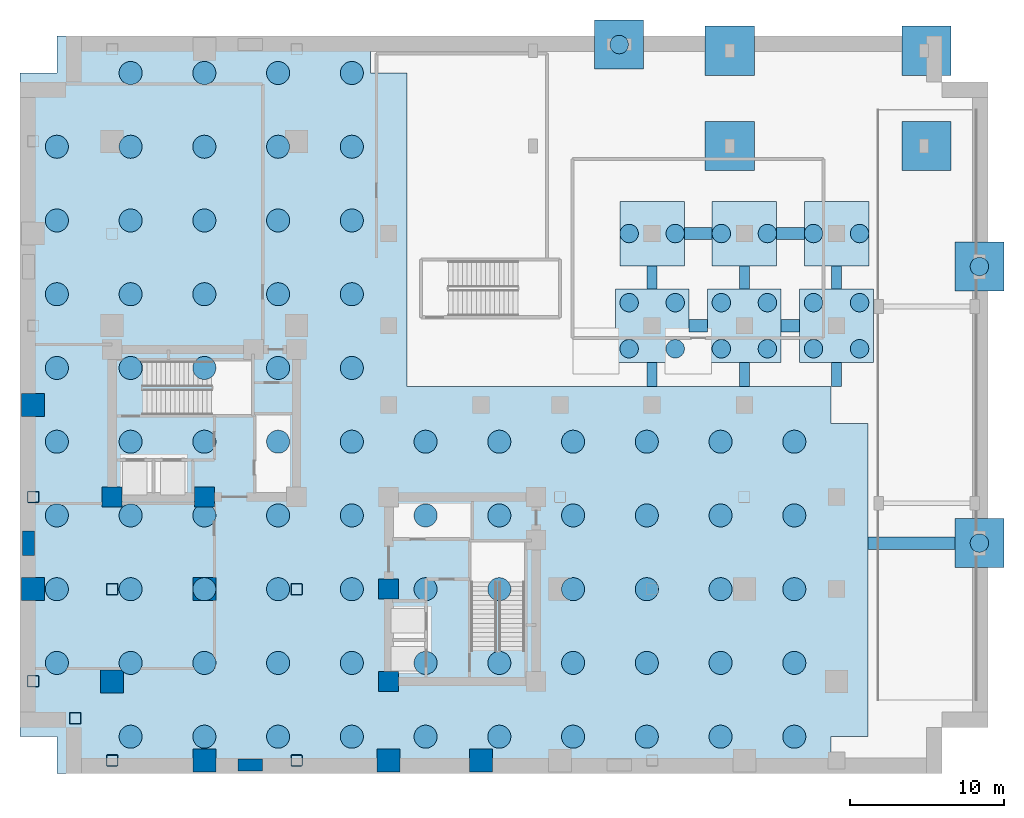
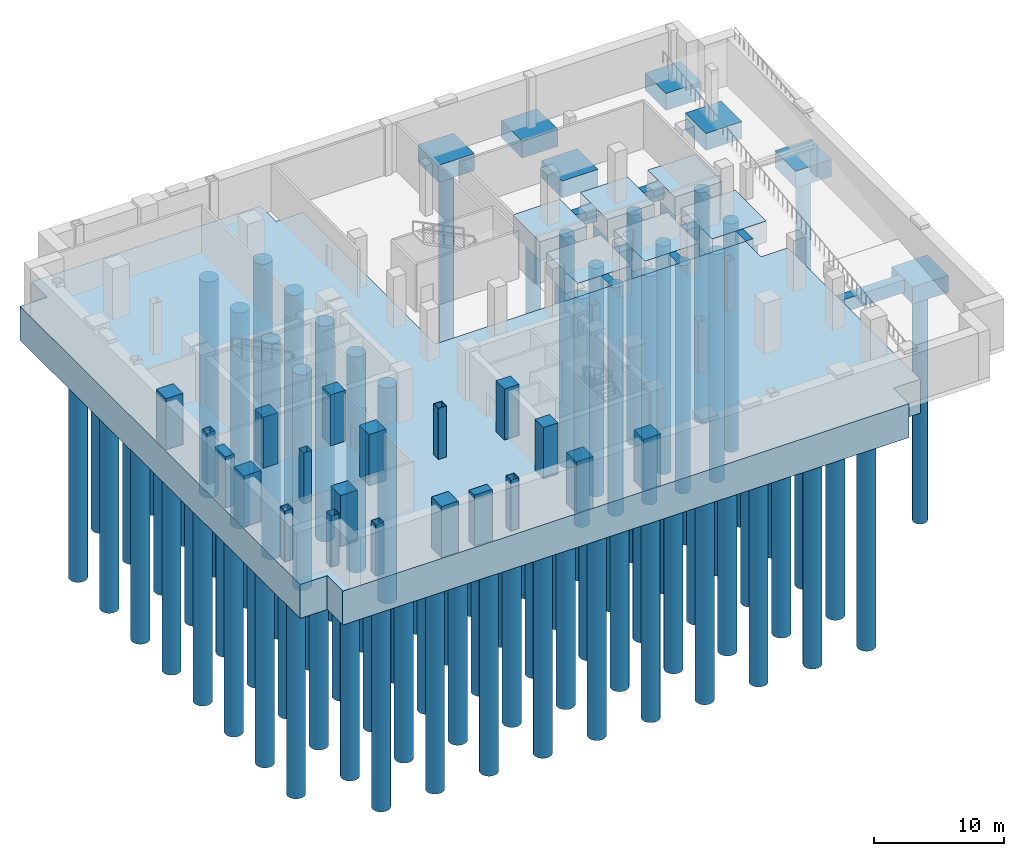
# One storey, part 1 of 7: 99 piles, 25 footings, 20 columns.
"""IFC4 building model written with IfcOpenShell, lengths in metres."""

import ifcopenshell
import ifcopenshell.guid

model = None  # the IFC model being written
_history = None  # IfcOwnerHistory: only IFC2X3 demands one
_inside = {}  # id of a spatial element -> (the spatial element, [elements in it])
_under = {}  # id of a project, library or spatial element -> (it, [spatial elements below it])
_declared = {}  # id of a project -> (the project, [libraries it declares])
_typed = {}  # id of a type object -> (the type object, [elements of that type])
_made_of = {}  # id of a material, layer set ... -> (it, [elements and type objects made of it])


def new_model(schema):
    """Start an empty IFC model of exactly this schema.

    Asked for "IFC4X3", IfcOpenShell would pick the latest addendum, in which some entities
    have other attributes; the version numbers below select the first issue.
    IFC2X3 requires an IfcOwnerHistory on every rooted entity: one is made here for all.
    """
    global model, _history
    if schema == "IFC4X3":
        model = ifcopenshell.file(schema_version=(4, 3, 0, 0))
    else:
        model = ifcopenshell.file(schema=schema)
    _inside.clear()
    _under.clear()
    _declared.clear()
    _typed.clear()
    _made_of.clear()
    _history = None
    if model.schema == "IFC2X3":
        org = make("IfcOrganization", Name="unknown")
        user = make(
            "IfcPersonAndOrganization",
            ThePerson=make("IfcPerson", FamilyName="unknown"),
            TheOrganization=org,
        )
        app = make(
            "IfcApplication",
            ApplicationDeveloper=org,
            Version="unknown",
            ApplicationFullName="unknown",
            ApplicationIdentifier="unknown",
        )
        _history = make(
            "IfcOwnerHistory",
            OwningUser=user,
            OwningApplication=app,
            ChangeAction="ADDED",
            CreationDate=0,
        )
    return model


def make(cls, **values):
    """One entity of the class cls with the attributes given. An attribute that is None is left unset."""
    return model.create_entity(
        cls, **{name: value for name, value in values.items() if value is not None}
    )


def rooted(cls, **values):
    """An entity with a GlobalId (a new one), such as an element, a storey or a relation."""
    return make(cls, GlobalId=ifcopenshell.guid.new(), OwnerHistory=_history, **values)


def si_unit(unit_type, name, prefix=None):
    """IfcSIUnit, for example si_unit("LENGTHUNIT", "METRE", prefix="MILLI")."""
    return make("IfcSIUnit", UnitType=unit_type, Prefix=prefix, Name=name)


def assignment(units):
    """IfcUnitAssignment: the units of a project."""
    return None if units is None else make("IfcUnitAssignment", Units=units)


def point(xyz):
    """IfcCartesianPoint."""
    return None if xyz is None else make("IfcCartesianPoint", Coordinates=xyz)


def direction(xyz):
    """IfcDirection."""
    return None if xyz is None else make("IfcDirection", DirectionRatios=xyz)


def frame(location, z_axis=None, x_axis=None):
    """IfcAxis2Placement3D, a coordinate frame: its origin and axes. An axis left out is left unset."""
    return make(
        "IfcAxis2Placement3D",
        Location=point(location),
        Axis=direction(z_axis),
        RefDirection=direction(x_axis),
    )


def frame_2d(location, x_axis=None):
    """IfcAxis2Placement2D, a coordinate frame in the plane: its origin and x axis."""
    return make(
        "IfcAxis2Placement2D", Location=point(location), RefDirection=direction(x_axis)
    )


def origin():
    """The frame at (0, 0, 0) with its axes left unset."""
    return frame((0.0, 0.0, 0.0))


def origin_2d():
    """The frame at (0, 0) in the plane with its x axis left unset."""
    return frame_2d((0.0, 0.0))


def place(relative_to, where):
    """IfcLocalPlacement: puts the frame where relative to a parent placement (None: the world)."""
    return make(
        "IfcLocalPlacement", PlacementRelTo=relative_to, RelativePlacement=where
    )


def context(
    kind, dimensions, precision=None, world=None, true_north=None, identifier=None
):
    """IfcGeometricRepresentationContext, for example the 3D "Model" context."""
    return make(
        "IfcGeometricRepresentationContext",
        ContextIdentifier=identifier,
        ContextType=kind,
        CoordinateSpaceDimension=dimensions,
        Precision=precision,
        WorldCoordinateSystem=world,
        TrueNorth=true_north,
    )


def subcontext(parent, identifier, kind, view, scale=None):
    """IfcGeometricRepresentationSubContext, for example "Body" below "Model"."""
    return make(
        "IfcGeometricRepresentationSubContext",
        ContextIdentifier=identifier,
        ContextType=kind,
        ParentContext=parent,
        TargetScale=scale,
        TargetView=view,
    )


def project(units=None, contexts=None):
    """IfcProject with its units and contexts."""
    return rooted(
        "IfcProject",
        Name="project",
        RepresentationContexts=contexts,
        UnitsInContext=assignment(units),
    )


def spatial(cls, under=None, at=None, **own):
    """A site, building, storey or space (cls), placed at a placement, below another one or the project."""
    s = rooted(cls, ObjectPlacement=at, **own)
    if under is not None:
        _under.setdefault(under.id(), (under, []))[1].append(s)
    return s


def polyline(points):
    """IfcPolyline through the points."""
    return make("IfcPolyline", Points=[point(p) for p in points])


def profile(cls, at=None, kind="AREA", **sizes):
    """A parametric profile (cls). Its sizes go by their IFC names, for example OverallWidth=200.0."""
    return make(cls, ProfileType=kind, Position=at, **sizes)


def rectangle(**sizes):
    """IfcRectangleProfileDef."""
    return profile("IfcRectangleProfileDef", **sizes)


def hollow_rectangle(**sizes):
    """IfcRectangleHollowProfileDef."""
    return profile("IfcRectangleHollowProfileDef", **sizes)


def circle(**sizes):
    """IfcCircleProfileDef."""
    return profile("IfcCircleProfileDef", **sizes)


def outline(outer, holes=None, kind="AREA"):
    """IfcArbitraryClosedProfileDef: a profile drawn as a closed curve; with holes, ...WithVoids."""
    if holes is None:
        return make("IfcArbitraryClosedProfileDef", ProfileType=kind, OuterCurve=outer)
    return make(
        "IfcArbitraryProfileDefWithVoids",
        ProfileType=kind,
        OuterCurve=outer,
        InnerCurves=holes,
    )


def extrude(swept, where, along, depth):
    """IfcExtrudedAreaSolid: the profile swept, set in the frame where, extruded along a direction by depth."""
    return make(
        "IfcExtrudedAreaSolid",
        SweptArea=swept,
        Position=where,
        ExtrudedDirection=direction(along),
        Depth=depth,
    )


def shape(context_of_items, identifier, shape_type, items):
    """IfcShapeRepresentation: the items that make up one representation, for example the "Body"."""
    return make(
        "IfcShapeRepresentation",
        ContextOfItems=context_of_items,
        RepresentationIdentifier=identifier,
        RepresentationType=shape_type,
        Items=items,
    )


def material(Name=None, Category=None):
    """IfcMaterial."""
    return make("IfcMaterial", Name=Name, Category=Category)


def layer(
    of_material, thickness, ventilated=None, Name=None, Category=None, Priority=None
):
    """IfcMaterialLayer: one layer of a wall or slab, of a material (None: an air gap)."""
    return make(
        "IfcMaterialLayer",
        Material=of_material,
        LayerThickness=thickness,
        IsVentilated=ventilated,
        Name=Name,
        Category=Category,
        Priority=Priority,
    )


def layer_set(layers, Name=None):
    """IfcMaterialLayerSet."""
    return make("IfcMaterialLayerSet", MaterialLayers=layers, LayerSetName=Name)


def material_profile(
    of_material, cross_section, Name=None, Category=None, Priority=None
):
    """IfcMaterialProfile: a cross section and its material."""
    return make(
        "IfcMaterialProfile",
        Name=Name,
        Material=of_material,
        Profile=cross_section,
        Priority=Priority,
        Category=Category,
    )


def profile_set(profiles, Name=None, composite=None):
    """IfcMaterialProfileSet."""
    return make(
        "IfcMaterialProfileSet",
        Name=Name,
        MaterialProfiles=profiles,
        CompositeProfile=composite,
    )


def made_of(thing, what):
    """Note that an element or type object is made of a material, layer set ...; save() writes the relation."""
    if what is not None:
        _made_of.setdefault(what.id(), (what, []))[1].append(thing)
    return thing


def type_object(cls, material=None, **own):
    """A type object (cls), such as IfcWallType, which elements share."""
    return made_of(rooted(cls, **own), material)


def element(
    cls,
    number,
    at=None,
    inside=None,
    cuts=None,
    type_object=None,
    material=None,
    context=None,
    identifier="Body",
    shape_type=None,
    held_by="IfcProductDefinitionShape",
    body=None,
    shapes=None,
    **own,
):
    """One element of the class cls, such as IfcWall. Its Tag is "e" and its number.

    at: its placement. inside: the storey or other place that contains it. cuts: it is an
    opening in that element (IfcRelVoidsElement). A single representation is given by context,
    identifier, shape_type and body (its items); several are given by shapes. held_by: the class
    of the entity that holds the representations. save() writes the other relations.
    """
    e = rooted(cls, Tag="e%d" % number, ObjectPlacement=at, **own)
    if body is not None:
        shapes = [shape(context, identifier, shape_type, body)]
    if shapes is not None:
        e.Representation = make(held_by, Representations=shapes)
    if inside is not None:
        _inside.setdefault(inside.id(), (inside, []))[1].append(e)
    if cuts is not None:
        rooted(
            "IfcRelVoidsElement", RelatingBuildingElement=cuts, RelatedOpeningElement=e
        )
    if type_object is not None:
        _typed.setdefault(type_object.id(), (type_object, []))[1].append(e)
    return made_of(e, material)


def aggregate(whole, parts):
    """IfcRelAggregates: a whole, such as a stair, and the parts it consists of."""
    return rooted("IfcRelAggregates", RelatingObject=whole, RelatedObjects=parts)


def save(model, path):
    """Write the relations noted so far, then the file.

    IfcRelAggregates (storeys below a building ...), IfcRelContainedInSpatialStructure (elements
    in a storey), IfcRelDefinesByType, IfcRelAssociatesMaterial and IfcRelDeclares: one each for
    every whole, place, type object, material and project.
    """
    for whole, parts in _under.values():
        aggregate(whole, parts)
    for where, things in _inside.values():
        rooted(
            "IfcRelContainedInSpatialStructure",
            RelatedElements=things,
            RelatingStructure=where,
        )
    for kind, things in _typed.values():
        rooted("IfcRelDefinesByType", RelatedObjects=things, RelatingType=kind)
    for what, things in _made_of.values():
        rooted("IfcRelAssociatesMaterial", RelatedObjects=things, RelatingMaterial=what)
    for by, libraries in _declared.values():
        rooted("IfcRelDeclares", RelatingContext=by, RelatedDefinitions=libraries)
    model.write(path)


model = new_model("IFC4")

# Units and contexts
model_context = context("Model", 3, precision=1e-05, world=origin(), true_north=direction((0.0, 1.0)))
body_context = subcontext(model_context, "Body", "Model", "MODEL_VIEW")
ifc_project = project(units=[si_unit("LENGTHUNIT", "METRE"), si_unit("AREAUNIT", "SQUARE_METRE"), si_unit("VOLUMEUNIT", "CUBIC_METRE"), si_unit("PLANEANGLEUNIT", "RADIAN"), si_unit("MASSUNIT", "GRAM", prefix="KILO"), si_unit("THERMODYNAMICTEMPERATUREUNIT", "KELVIN"), si_unit("POWERUNIT", "WATT")], contexts=[model_context])

# Site, building, storey
site_placement = place(None, origin())
site = spatial("IfcSite", under=ifc_project, at=site_placement, CompositionType="ELEMENT")
building_placement = place(site_placement, origin())
building = spatial("IfcBuilding", under=site, at=building_placement, Name="Svarakhadi Broadcast Tower", CompositionType="ELEMENT")
storey_placement = place(building_placement, frame((0.0, 0.0, -9.60009765625)))
storey = spatial("IfcBuildingStorey", under=building, at=storey_placement, Name="B02", CompositionType="ELEMENT", Elevation=-9.60009765625)

# Piles
ifc_material_1 = material(Name="Concrete C45/55 (IS 456 M55 Marine)", Category="concrete")
ifc_material_profile_1 = material_profile(ifc_material_1, circle(Radius=0.75, at=origin_2d()), Name="PILE D1500")
ifc_profile_set_1 = profile_set([ifc_material_profile_1], Name="Concrete C45/55 (IS 456 M55 Marine)")
pile_type_1 = type_object("IfcPileType", Name="Bored_Pile_PL01", PredefinedType="BORED", material=ifc_profile_set_1)
for number, where, z_axis, x_axis, name in (
    (1, (2.39990234375, 7.199951171875, -3.099853515625), (0.0, 0.0, -1.0), (1.0, 0.0, 0.0), "Rock-Socketed Bored Pile PL-01-001"),
    (2, (2.39990234375, 12.0, -3.099853515625), (0.0, 0.0, -1.0), (1.0, 0.0, 0.0), "Rock-Socketed Bored Pile PL-01-002"),
    (3, (2.39990234375, 16.800048828125, -3.099853515625), (0.0, 0.0, -1.0), (1.0, 0.0, 0.0), "Rock-Socketed Bored Pile PL-01-003"),
    (4, (2.39990234375, 21.60009765625, -3.099853515625), (0.0, 0.0, -1.0), (1.0, 0.0, 0.0), "Rock-Socketed Bored Pile PL-01-004"),
    (5, (2.39990234375, 26.39990234375, -3.099853515625), (0.0, 0.0, -1.0), (1.0, 0.0, 0.0), "Rock-Socketed Bored Pile PL-01-005"),
    (6, (2.39990234375, 31.199951171875, -3.099853515625), (0.0, 0.0, -1.0), (1.0, 0.0, 0.0), "Rock-Socketed Bored Pile PL-01-006"),
    (7, (2.39990234375, 36.0, -3.099853515625), (0.0, 0.0, -1.0), (1.0, 0.0, 0.0), "Rock-Socketed Bored Pile PL-01-007"),
    (8, (2.39990234375, 40.800048828125, -3.099853515625), (0.0, 0.0, -1.0), (1.0, 0.0, 0.0), "Rock-Socketed Bored Pile PL-01-008"),
    (9, (7.199951171875, 2.39990234375, -3.099853515625), (0.0, 0.0, -1.0), (1.0, 0.0, 0.0), "Rock-Socketed Bored Pile PL-01-009"),
    (10, (7.199951171875, 7.199951171875, -3.099853515625), (0.0, 0.0, -1.0), (1.0, 0.0, 0.0), "Rock-Socketed Bored Pile PL-01-010"),
    (11, (7.199951171875, 12.0, -3.099853515625), (0.0, 0.0, -1.0), (1.0, 0.0, 0.0), "Rock-Socketed Bored Pile PL-01-011"),
    (12, (7.199951171875, 16.800048828125, -3.099853515625), (0.0, 0.0, -1.0), (1.0, 0.0, 0.0), "Rock-Socketed Bored Pile PL-01-012"),
    (13, (7.199951171875, 21.60009765625, -3.099853515625), (0.0, 0.0, -1.0), (1.0, 0.0, 0.0), "Rock-Socketed Bored Pile PL-01-013"),
    (14, (7.199951171875, 26.39990234375, -3.099853515625), (0.0, 0.0, -1.0), (1.0, 0.0, 0.0), "Rock-Socketed Bored Pile PL-01-014"),
    (15, (7.199951171875, 31.199951171875, -3.099853515625), (0.0, 0.0, -1.0), (1.0, 0.0, 0.0), "Rock-Socketed Bored Pile PL-01-015"),
    (16, (7.199951171875, 36.0, -3.099853515625), (0.0, 0.0, -1.0), (1.0, 0.0, 0.0), "Rock-Socketed Bored Pile PL-01-016"),
    (17, (7.199951171875, 40.800048828125, -3.099853515625), (0.0, 0.0, -1.0), (1.0, 0.0, 0.0), "Rock-Socketed Bored Pile PL-01-017"),
    (18, (7.199951171875, 45.60009765625, -3.099853515625), (0.0, 0.0, -1.0), (1.0, 0.0, 0.0), "Rock-Socketed Bored Pile PL-01-018"),
    (19, (12.0, 2.39990234375, -3.099853515625), (0.0, 0.0, -1.0), (1.0, 0.0, 0.0), "Rock-Socketed Bored Pile PL-01-019"),
    (20, (12.0, 7.199951171875, -3.099853515625), (0.0, 0.0, -1.0), (1.0, 0.0, 0.0), "Rock-Socketed Bored Pile PL-01-020"),
    (21, (12.0, 12.0, -3.099853515625), (0.0, 0.0, -1.0), (1.0, 0.0, 0.0), "Rock-Socketed Bored Pile PL-01-021"),
    (22, (12.0, 16.800048828125, -3.099853515625), (0.0, 0.0, -1.0), (1.0, 0.0, 0.0), "Rock-Socketed Bored Pile PL-01-022"),
    (23, (12.0, 21.60009765625, -3.099853515625), (0.0, 0.0, -1.0), (1.0, 0.0, 0.0), "Rock-Socketed Bored Pile PL-01-023"),
    (24, (12.0, 26.39990234375, -3.099853515625), (0.0, 0.0, -1.0), (1.0, 0.0, 0.0), "Rock-Socketed Bored Pile PL-01-024"),
    (25, (12.0, 31.199951171875, -3.099853515625), (0.0, 0.0, -1.0), (1.0, 0.0, 0.0), "Rock-Socketed Bored Pile PL-01-025"),
    (26, (12.0, 36.0, -3.099853515625), (0.0, 0.0, -1.0), (1.0, 0.0, 0.0), "Rock-Socketed Bored Pile PL-01-026"),
    (27, (12.0, 40.800048828125, -3.099853515625), (0.0, 0.0, -1.0), (1.0, 0.0, 0.0), "Rock-Socketed Bored Pile PL-01-027"),
    (28, (12.0, 45.60009765625, -3.099853515625), (0.0, 0.0, -1.0), (1.0, 0.0, 0.0), "Rock-Socketed Bored Pile PL-01-028"),
    (29, (16.800048828125, 2.39990234375, -3.099853515625), (0.0, 0.0, -1.0), (1.0, 0.0, 0.0), "Rock-Socketed Bored Pile PL-01-029"),
    (30, (16.800048828125, 7.199951171875, -3.099853515625), (0.0, 0.0, -1.0), (1.0, 0.0, 0.0), "Rock-Socketed Bored Pile PL-01-030"),
    (31, (16.800048828125, 12.0, -3.099853515625), (0.0, 0.0, -1.0), (1.0, 0.0, 0.0), "Rock-Socketed Bored Pile PL-01-031"),
    (32, (16.800048828125, 16.800048828125, -3.099853515625), (0.0, 0.0, -1.0), (1.0, 0.0, 0.0), "Rock-Socketed Bored Pile PL-01-032"),
    (33, (16.800048828125, 21.60009765625, -3.099853515625), (0.0, 0.0, -1.0), (1.0, 0.0, 0.0), "Rock-Socketed Bored Pile PL-01-033"),
    (34, (16.800048828125, 26.39990234375, -3.099853515625), (0.0, 0.0, -1.0), (1.0, 0.0, 0.0), "Rock-Socketed Bored Pile PL-01-034"),
    (35, (16.800048828125, 31.199951171875, -3.099853515625), (0.0, 0.0, -1.0), (1.0, 0.0, 0.0), "Rock-Socketed Bored Pile PL-01-035"),
    (36, (16.800048828125, 36.0, -3.099853515625), (0.0, 0.0, -1.0), (1.0, 0.0, 0.0), "Rock-Socketed Bored Pile PL-01-036"),
    (37, (16.800048828125, 40.800048828125, -3.099853515625), (0.0, 0.0, -1.0), (1.0, 0.0, 0.0), "Rock-Socketed Bored Pile PL-01-037"),
    (38, (16.800048828125, 45.60009765625, -3.099853515625), (0.0, 0.0, -1.0), (1.0, 0.0, 0.0), "Rock-Socketed Bored Pile PL-01-038"),
    (39, (21.60009765625, 2.39990234375, -3.099853515625), (0.0, 0.0, -1.0), (1.0, 0.0, 0.0), "Rock-Socketed Bored Pile PL-01-039"),
    (40, (21.60009765625, 7.199951171875, -3.099853515625), (0.0, 0.0, -1.0), (1.0, 0.0, 0.0), "Rock-Socketed Bored Pile PL-01-040"),
    (41, (21.60009765625, 12.0, -3.099853515625), (0.0, 0.0, -1.0), (1.0, 0.0, 0.0), "Rock-Socketed Bored Pile PL-01-041"),
    (42, (21.60009765625, 16.800048828125, -3.099853515625), (0.0, 0.0, -1.0), (1.0, 0.0, 0.0), "Rock-Socketed Bored Pile PL-01-042"),
    (43, (21.60009765625, 21.60009765625, -3.099853515625), (0.0, 0.0, -1.0), (1.0, 0.0, 0.0), "Rock-Socketed Bored Pile PL-01-043"),
    (44, (21.60009765625, 26.39990234375, -3.099853515625), (0.0, 0.0, -1.0), (1.0, 0.0, 0.0), "Rock-Socketed Bored Pile PL-01-044"),
    (45, (21.60009765625, 31.199951171875, -3.099853515625), (0.0, 0.0, -1.0), (1.0, 0.0, 0.0), "Rock-Socketed Bored Pile PL-01-045"),
    (46, (21.60009765625, 36.0, -3.099853515625), (0.0, 0.0, -1.0), (1.0, 0.0, 0.0), "Rock-Socketed Bored Pile PL-01-046"),
    (47, (21.60009765625, 40.800048828125, -3.099853515625), (0.0, 0.0, -1.0), (1.0, 0.0, 0.0), "Rock-Socketed Bored Pile PL-01-047"),
    (48, (21.60009765625, 45.60009765625, -3.099853515625), (0.0, 0.0, -1.0), (1.0, 0.0, 0.0), "Rock-Socketed Bored Pile PL-01-048"),
    (49, (26.39990234375, 2.39990234375, -3.099853515625), (0.0, 0.0, -1.0), (1.0, 0.0, 0.0), "Rock-Socketed Bored Pile PL-01-049"),
    (50, (26.39990234375, 7.199951171875, -3.099853515625), (0.0, 0.0, -1.0), (1.0, 0.0, 0.0), "Rock-Socketed Bored Pile PL-01-050"),
    (51, (26.39990234375, 12.0, -3.099853515625), (0.0, 0.0, -1.0), (1.0, 0.0, 0.0), "Rock-Socketed Bored Pile PL-01-051"),
    (52, (26.39990234375, 16.800048828125, -3.099853515625), (0.0, 0.0, -1.0), (1.0, 0.0, 0.0), "Rock-Socketed Bored Pile PL-01-052"),
    (53, (26.39990234375, 21.60009765625, -3.099853515625), (0.0, 0.0, -1.0), (1.0, 0.0, 0.0), "Rock-Socketed Bored Pile PL-01-053"),
    (54, (31.199951171875, 2.39990234375, -3.099853515625), (0.0, 0.0, -1.0), (1.0, 0.0, 0.0), "Rock-Socketed Bored Pile PL-01-054"),
    (55, (31.199951171875, 7.199951171875, -3.099853515625), (0.0, 0.0, -1.0), (1.0, 0.0, 0.0), "Rock-Socketed Bored Pile PL-01-055"),
    (56, (31.199951171875, 12.0, -3.099853515625), (0.0, 0.0, -1.0), (1.0, 0.0, 0.0), "Rock-Socketed Bored Pile PL-01-056"),
    (57, (31.199951171875, 16.800048828125, -3.099853515625), (0.0, 0.0, -1.0), (1.0, 0.0, 0.0), "Rock-Socketed Bored Pile PL-01-057"),
    (58, (31.199951171875, 21.60009765625, -3.099853515625), (0.0, 0.0, -1.0), (1.0, 0.0, 0.0), "Rock-Socketed Bored Pile PL-01-058"),
    (59, (36.0, 2.39990234375, -3.099853515625), (0.0, 0.0, -1.0), (1.0, 0.0, 0.0), "Rock-Socketed Bored Pile PL-01-059"),
    (60, (36.0, 7.199951171875, -3.099853515625), (0.0, 0.0, -1.0), (1.0, 0.0, 0.0), "Rock-Socketed Bored Pile PL-01-060"),
    (61, (36.0, 12.0, -3.099853515625), (0.0, 0.0, -1.0), (1.0, 0.0, 0.0), "Rock-Socketed Bored Pile PL-01-061"),
    (62, (36.0, 16.800048828125, -3.099853515625), (0.0, 0.0, -1.0), (1.0, 0.0, 0.0), "Rock-Socketed Bored Pile PL-01-062"),
    (63, (36.0, 21.60009765625, -3.099853515625), (0.0, 0.0, -1.0), (1.0, 0.0, 0.0), "Rock-Socketed Bored Pile PL-01-063"),
    (64, (40.800048828125, 2.39990234375, -3.099853515625), (0.0, 0.0, -1.0), (1.0, 0.0, 0.0), "Rock-Socketed Bored Pile PL-01-064"),
    (65, (40.800048828125, 7.199951171875, -3.099853515625), (0.0, 0.0, -1.0), (1.0, 0.0, 0.0), "Rock-Socketed Bored Pile PL-01-065"),
    (66, (40.800048828125, 12.0, -3.099853515625), (0.0, 0.0, -1.0), (1.0, 0.0, 0.0), "Rock-Socketed Bored Pile PL-01-066"),
    (67, (40.800048828125, 16.800048828125, -3.099853515625), (0.0, 0.0, -1.0), (1.0, 0.0, 0.0), "Rock-Socketed Bored Pile PL-01-067"),
    (68, (40.800048828125, 21.60009765625, -3.099853515625), (0.0, 0.0, -1.0), (1.0, 0.0, 0.0), "Rock-Socketed Bored Pile PL-01-068"),
    (69, (45.60009765625, 2.39990234375, -3.099853515625), (0.0, 0.0, -1.0), (1.0, 0.0, 0.0), "Rock-Socketed Bored Pile PL-01-069"),
    (70, (45.60009765625, 7.199951171875, -3.099853515625), (0.0, 0.0, -1.0), (1.0, 0.0, 0.0), "Rock-Socketed Bored Pile PL-01-070"),
    (71, (45.60009765625, 12.0, -3.099853515625), (0.0, 0.0, -1.0), (1.0, 0.0, 0.0), "Rock-Socketed Bored Pile PL-01-071"),
    (72, (45.60009765625, 16.800048828125, -3.099853515625), (0.0, 0.0, -1.0), (1.0, 0.0, 0.0), "Rock-Socketed Bored Pile PL-01-072"),
    (73, (45.60009765625, 21.60009765625, -3.099853515625), (0.0, 0.0, -1.0), (1.0, 0.0, 0.0), "Rock-Socketed Bored Pile PL-01-073"),
    (74, (50.39990234375, 2.39990234375, -3.099853515625), (0.0, 0.0, -1.0), (1.0, 0.0, 0.0), "Rock-Socketed Bored Pile PL-01-074"),
    (75, (50.39990234375, 7.199951171875, -3.099853515625), (0.0, 0.0, -1.0), (1.0, 0.0, 0.0), "Rock-Socketed Bored Pile PL-01-075"),
    (76, (50.39990234375, 12.0, -3.099853515625), (0.0, 0.0, -1.0), (1.0, 0.0, 0.0), "Rock-Socketed Bored Pile PL-01-076"),
    (77, (50.39990234375, 16.800048828125, -3.099853515625), (0.0, 0.0, -1.0), (1.0, 0.0, 0.0), "Rock-Socketed Bored Pile PL-01-077"),
    (78, (50.39990234375, 21.60009765625, -3.099853515625), (0.0, 0.0, -1.0), (1.0, 0.0, 0.0), "Rock-Socketed Bored Pile PL-01-078"),
):
    element("IfcPile", number, at=place(storey_placement, frame(where, z_axis=z_axis, x_axis=x_axis)), inside=storey, type_object=pile_type_1, Name=name, PredefinedType="BORED", context=body_context, shape_type="SweptSolid", body=[
        extrude(circle(Radius=0.75, at=origin_2d()), origin(), (0.0, 0.0, 1.0), 20.300048828125),
    ])
ifc_material_profile_2 = material_profile(ifc_material_1, circle(Radius=0.60009765625, at=origin_2d()), Name="PILE D1200")
ifc_profile_set_2 = profile_set([ifc_material_profile_2], Name="Concrete C45/55 (IS 456 M55 Marine)")
pile_type_2 = type_object("IfcPileType", Name="Bored_Pile_PL02", PredefinedType="BORED", material=ifc_profile_set_2)
for number, where, z_axis, x_axis, name in (
    (79, (39.64990234375, 27.64990234375, -1.89990234375), (0.0, 0.0, -1.0), (1.0, 0.0, 0.0), "Rock-Socketed Bored Pile PL-02-001"),
    (80, (39.64990234375, 30.64990234375, -1.89990234375), (0.0, 0.0, -1.0), (1.0, 0.0, 0.0), "Rock-Socketed Bored Pile PL-02-002"),
    (81, (42.64990234375, 27.64990234375, -1.89990234375), (0.0, 0.0, -1.0), (1.0, 0.0, 0.0), "Rock-Socketed Bored Pile PL-02-003"),
    (82, (42.64990234375, 30.64990234375, -1.89990234375), (0.0, 0.0, -1.0), (1.0, 0.0, 0.0), "Rock-Socketed Bored Pile PL-02-004"),
):
    element("IfcPile", number, at=place(storey_placement, frame(where, z_axis=z_axis, x_axis=x_axis)), inside=storey, type_object=pile_type_2, Name=name, PredefinedType="BORED", context=body_context, shape_type="SweptSolid", body=[
        extrude(circle(Radius=0.60009765625, at=origin_2d()), origin(), (0.0, 0.0, 1.0), 21.5),
    ])
for number, where, z_axis, x_axis, name in (
    (83, (39.64990234375, 35.14990234375, -1.699951171875), (0.0, 0.0, -1.0), (1.0, 0.0, 0.0), "Rock-Socketed Bored Pile PL-02-005"),
    (84, (42.64990234375, 35.14990234375, -1.699951171875), (0.0, 0.0, -1.0), (1.0, 0.0, 0.0), "Rock-Socketed Bored Pile PL-02-006"),
):
    element("IfcPile", number, at=place(storey_placement, frame(where, z_axis=z_axis, x_axis=x_axis)), inside=storey, type_object=pile_type_2, Name=name, PredefinedType="BORED", context=body_context, shape_type="SweptSolid", body=[
        extrude(circle(Radius=0.60009765625, at=origin_2d()), origin(), (0.0, 0.0, 1.0), 21.699951171875),
    ])
for number, where, z_axis, x_axis, name in (
    (85, (45.64990234375, 27.64990234375, -1.89990234375), (0.0, 0.0, -1.0), (1.0, 0.0, 0.0), "Rock-Socketed Bored Pile PL-02-007"),
    (86, (45.64990234375, 30.64990234375, -1.89990234375), (0.0, 0.0, -1.0), (1.0, 0.0, 0.0), "Rock-Socketed Bored Pile PL-02-008"),
    (87, (48.64990234375, 27.64990234375, -1.89990234375), (0.0, 0.0, -1.0), (1.0, 0.0, 0.0), "Rock-Socketed Bored Pile PL-02-009"),
    (88, (48.64990234375, 30.64990234375, -1.89990234375), (0.0, 0.0, -1.0), (1.0, 0.0, 0.0), "Rock-Socketed Bored Pile PL-02-010"),
):
    element("IfcPile", number, at=place(storey_placement, frame(where, z_axis=z_axis, x_axis=x_axis)), inside=storey, type_object=pile_type_2, Name=name, PredefinedType="BORED", context=body_context, shape_type="SweptSolid", body=[
        extrude(circle(Radius=0.60009765625, at=origin_2d()), origin(), (0.0, 0.0, 1.0), 21.5),
    ])
for number, where, z_axis, x_axis, name in (
    (89, (45.64990234375, 35.14990234375, -1.699951171875), (0.0, 0.0, -1.0), (1.0, 0.0, 0.0), "Rock-Socketed Bored Pile PL-02-011"),
    (90, (48.64990234375, 35.14990234375, -1.699951171875), (0.0, 0.0, -1.0), (1.0, 0.0, 0.0), "Rock-Socketed Bored Pile PL-02-012"),
):
    element("IfcPile", number, at=place(storey_placement, frame(where, z_axis=z_axis, x_axis=x_axis)), inside=storey, type_object=pile_type_2, Name=name, PredefinedType="BORED", context=body_context, shape_type="SweptSolid", body=[
        extrude(circle(Radius=0.60009765625, at=origin_2d()), origin(), (0.0, 0.0, 1.0), 21.699951171875),
    ])
for number, where, z_axis, x_axis, name in (
    (91, (51.64990234375, 27.64990234375, -1.89990234375), (0.0, 0.0, -1.0), (1.0, 0.0, 0.0), "Rock-Socketed Bored Pile PL-02-013"),
    (92, (51.64990234375, 30.64990234375, -1.89990234375), (0.0, 0.0, -1.0), (1.0, 0.0, 0.0), "Rock-Socketed Bored Pile PL-02-014"),
    (93, (54.64990234375, 27.64990234375, -1.89990234375), (0.0, 0.0, -1.0), (1.0, 0.0, 0.0), "Rock-Socketed Bored Pile PL-02-015"),
    (94, (54.64990234375, 30.64990234375, -1.89990234375), (0.0, 0.0, -1.0), (1.0, 0.0, 0.0), "Rock-Socketed Bored Pile PL-02-016"),
):
    element("IfcPile", number, at=place(storey_placement, frame(where, z_axis=z_axis, x_axis=x_axis)), inside=storey, type_object=pile_type_2, Name=name, PredefinedType="BORED", context=body_context, shape_type="SweptSolid", body=[
        extrude(circle(Radius=0.60009765625, at=origin_2d()), origin(), (0.0, 0.0, 1.0), 21.5),
    ])
for number, where, z_axis, x_axis, name in (
    (95, (51.64990234375, 35.14990234375, -1.699951171875), (0.0, 0.0, -1.0), (1.0, 0.0, 0.0), "Rock-Socketed Bored Pile PL-02-017"),
    (96, (54.64990234375, 35.14990234375, -1.699951171875), (0.0, 0.0, -1.0), (1.0, 0.0, 0.0), "Rock-Socketed Bored Pile PL-02-018"),
):
    element("IfcPile", number, at=place(storey_placement, frame(where, z_axis=z_axis, x_axis=x_axis)), inside=storey, type_object=pile_type_2, Name=name, PredefinedType="BORED", context=body_context, shape_type="SweptSolid", body=[
        extrude(circle(Radius=0.60009765625, at=origin_2d()), origin(), (0.0, 0.0, 1.0), 21.699951171875),
    ])
for number, where, z_axis, x_axis, name in (
    (97, (62.449951171875, 15.0, -1.5), (0.0, 0.0, -1.0), (1.0, 0.0, 0.0), "Rock-Socketed Bored Pile PL-02-019"),
    (98, (62.449951171875, 33.0, -1.5), (0.0, 0.0, -1.0), (1.0, 0.0, 0.0), "Rock-Socketed Bored Pile PL-02-020"),
    (99, (39.0, 47.449951171875, -1.5), (0.0, 0.0, -1.0), (1.0, 0.0, 0.0), "Rock-Socketed Bored Pile PL-02-021"),
):
    element("IfcPile", number, at=place(storey_placement, frame(where, z_axis=z_axis, x_axis=x_axis)), inside=storey, type_object=pile_type_2, Name=name, PredefinedType="BORED", context=body_context, shape_type="SweptSolid", body=[
        extrude(circle(Radius=0.60009765625, at=origin_2d()), origin(), (0.0, 0.0, 1.0), 21.89990234375),
    ])

# Footings
ifc_layer_1 = layer(ifc_material_1, 1.199951171875)
ifc_layer_set_1 = layer_set([ifc_layer_1], Name="Concrete C45/55 (IS 456 M55 Marine)")
footing_type_1 = type_object("IfcFootingType", Name="Grade_Beam_GB01", PredefinedType="STRIP_FOOTING", material=ifc_layer_set_1)
footing_1_placement = place(storey_placement, frame((44.14990234375, 29.14990234375, -1.19970703125), z_axis=(0.0, 0.0, 1.0), x_axis=(1.0, 0.0, 0.0)))
element("IfcFooting", 100, at=footing_1_placement, inside=storey, type_object=footing_type_1, Name="Substructure Tie Beam GB-01-03", PredefinedType="STRIP_FOOTING", context=body_context, shape_type="SweptSolid", body=[
    extrude(rectangle(XDim=1.199951171875, YDim=0.800048828125, at=origin_2d()), origin(), (0.0, 0.0, 1.0), 1.199951171875),
])
footing_2_placement = place(storey_placement, frame((44.14990234375, 35.14990234375, -1.19970703125), z_axis=(0.0, 0.0, 1.0), x_axis=(1.0, 0.0, 0.0)))
element("IfcFooting", 101, at=footing_2_placement, inside=storey, type_object=footing_type_1, Name="Substructure Tie Beam GB-01-04", PredefinedType="STRIP_FOOTING", context=body_context, shape_type="SweptSolid", body=[
    extrude(rectangle(XDim=1.800048828125, YDim=0.800048828125, at=origin_2d()), origin(), (0.0, 0.0, 1.0), 1.199951171875),
])
footing_3_placement = place(storey_placement, frame((50.14990234375, 29.14990234375, -1.19970703125), z_axis=(0.0, 0.0, 1.0), x_axis=(1.0, 0.0, 0.0)))
element("IfcFooting", 102, at=footing_3_placement, inside=storey, type_object=footing_type_1, Name="Substructure Tie Beam GB-01-07", PredefinedType="STRIP_FOOTING", context=body_context, shape_type="SweptSolid", body=[
    extrude(rectangle(XDim=1.199951171875, YDim=0.800048828125, at=origin_2d()), origin(), (0.0, 0.0, 1.0), 1.199951171875),
])
footing_4_placement = place(storey_placement, frame((50.14990234375, 35.14990234375, -1.19970703125), z_axis=(0.0, 0.0, 1.0), x_axis=(1.0, 0.0, 0.0)))
element("IfcFooting", 103, at=footing_4_placement, inside=storey, type_object=footing_type_1, Name="Substructure Tie Beam GB-01-08", PredefinedType="STRIP_FOOTING", context=body_context, shape_type="SweptSolid", body=[
    extrude(rectangle(XDim=1.800048828125, YDim=0.800048828125, at=origin_2d()), origin(), (0.0, 0.0, 1.0), 1.199951171875),
])
footing_5_placement = place(storey_placement, frame((58.02490234375, 15.0, -1.19970703125), z_axis=(0.0, 0.0, 1.0), x_axis=(1.0, 0.0, 0.0)))
element("IfcFooting", 104, at=footing_5_placement, inside=storey, type_object=footing_type_1, Name="Substructure Tie Beam GB-01-11", PredefinedType="STRIP_FOOTING", context=body_context, shape_type="SweptSolid", body=[
    extrude(rectangle(XDim=5.64990234375, YDim=0.800048828125, at=origin_2d()), origin(), (0.0, 0.0, 1.0), 1.199951171875),
])
ifc_layer_2 = layer(ifc_material_1, 1.0)
ifc_layer_set_2 = layer_set([ifc_layer_2], Name="Concrete C45/55 (IS 456 M55 Marine)")
footing_type_2 = type_object("IfcFootingType", Name="Grade_Beam_GB02", PredefinedType="STRIP_FOOTING", material=ifc_layer_set_2)
footing_6_placement = place(storey_placement, frame((41.14990234375, 25.97509765625, -1.0), z_axis=(0.0, 0.0, 1.0), x_axis=(1.0, 0.0, 0.0)))
element("IfcFooting", 105, at=footing_6_placement, inside=storey, type_object=footing_type_2, Name="Substructure Tie Beam GB-02-01", PredefinedType="STRIP_FOOTING", context=body_context, shape_type="SweptSolid", body=[
    extrude(rectangle(XDim=0.64990234375, YDim=1.550048828125, at=origin_2d()), origin(), (0.0, 0.0, 1.0), 1.0),
])
footing_7_placement = place(storey_placement, frame((41.14990234375, 32.300048828125, -1.0), z_axis=(0.0, 0.0, 1.0), x_axis=(1.0, 0.0, 0.0)))
element("IfcFooting", 106, at=footing_7_placement, inside=storey, type_object=footing_type_2, Name="Substructure Tie Beam GB-02-02", PredefinedType="STRIP_FOOTING", context=body_context, shape_type="SweptSolid", body=[
    extrude(rectangle(XDim=0.64990234375, YDim=1.5, at=origin_2d()), origin(), (0.0, 0.0, 1.0), 1.0),
])
footing_8_placement = place(storey_placement, frame((47.14990234375, 25.97509765625, -1.0), z_axis=(0.0, 0.0, 1.0), x_axis=(1.0, 0.0, 0.0)))
element("IfcFooting", 107, at=footing_8_placement, inside=storey, type_object=footing_type_2, Name="Substructure Tie Beam GB-02-05", PredefinedType="STRIP_FOOTING", context=body_context, shape_type="SweptSolid", body=[
    extrude(rectangle(XDim=0.64990234375, YDim=1.550048828125, at=origin_2d()), origin(), (0.0, 0.0, 1.0), 1.0),
])
footing_9_placement = place(storey_placement, frame((47.14990234375, 32.300048828125, -1.0), z_axis=(0.0, 0.0, 1.0), x_axis=(1.0, 0.0, 0.0)))
element("IfcFooting", 108, at=footing_9_placement, inside=storey, type_object=footing_type_2, Name="Substructure Tie Beam GB-02-06", PredefinedType="STRIP_FOOTING", context=body_context, shape_type="SweptSolid", body=[
    extrude(rectangle(XDim=0.64990234375, YDim=1.5, at=origin_2d()), origin(), (0.0, 0.0, 1.0), 1.0),
])
footing_10_placement = place(storey_placement, frame((53.14990234375, 25.97509765625, -1.0), z_axis=(0.0, 0.0, 1.0), x_axis=(1.0, 0.0, 0.0)))
element("IfcFooting", 109, at=footing_10_placement, inside=storey, type_object=footing_type_2, Name="Substructure Tie Beam GB-02-09", PredefinedType="STRIP_FOOTING", context=body_context, shape_type="SweptSolid", body=[
    extrude(rectangle(XDim=0.64990234375, YDim=1.550048828125, at=origin_2d()), origin(), (0.0, 0.0, 1.0), 1.0),
])
footing_11_placement = place(storey_placement, frame((53.14990234375, 32.300048828125, -1.0), z_axis=(0.0, 0.0, 1.0), x_axis=(1.0, 0.0, 0.0)))
element("IfcFooting", 110, at=footing_11_placement, inside=storey, type_object=footing_type_2, Name="Substructure Tie Beam GB-02-10", PredefinedType="STRIP_FOOTING", context=body_context, shape_type="SweptSolid", body=[
    extrude(rectangle(XDim=0.64990234375, YDim=1.5, at=origin_2d()), origin(), (0.0, 0.0, 1.0), 1.0),
])
ifc_layer_3 = layer(ifc_material_1, 1.60009765625)
ifc_layer_set_3 = layer_set([ifc_layer_3], Name="Concrete C45/55 (IS 456 M55 Marine)")
footing_type_3 = type_object("IfcFootingType", Name="Pad_Footing_FD01", PredefinedType="PAD_FOOTING", material=ifc_layer_set_3)
for number, where, z_axis, x_axis, name in (
    (111, (62.449951171875, 15.0, -1.599853515625), (0.0, 0.0, 1.0), (1.0, 0.0, 0.0), "Podium Pad Footing FTG-B02-FD01-01"),
    (112, (62.449951171875, 33.0, -1.599853515625), (0.0, 0.0, 1.0), (1.0, 0.0, 0.0), "Podium Pad Footing FTG-B02-FD01-02"),
    (113, (39.0, 47.449951171875, -1.599853515625), (0.0, 0.0, 1.0), (1.0, 0.0, 0.0), "Podium Pad Footing FTG-B02-FD01-03"),
    (114, (46.199951171875, 40.85009765625, -1.599853515625), (0.0, 0.0, 1.0), (1.0, 0.0, 0.0), "Podium Pad Footing FTG-B02-FD01-04"),
    (115, (46.199951171875, 47.050048828125, -1.599853515625), (0.0, 0.0, 1.0), (1.0, 0.0, 0.0), "Podium Pad Footing FTG-B02-FD01-05"),
    (116, (59.0, 40.85009765625, -1.599853515625), (0.0, 0.0, 1.0), (1.0, 0.0, 0.0), "Podium Pad Footing FTG-B02-FD01-06"),
    (117, (59.0, 47.050048828125, -1.599853515625), (0.0, 0.0, 1.0), (1.0, 0.0, 0.0), "Podium Pad Footing FTG-B02-FD01-07"),
):
    element("IfcFooting", number, at=place(storey_placement, frame(where, z_axis=z_axis, x_axis=x_axis)), inside=storey, type_object=footing_type_3, Name=name, PredefinedType="PAD_FOOTING", context=body_context, shape_type="SweptSolid", body=[
        extrude(rectangle(XDim=3.199951171875, YDim=3.199951171875, at=origin_2d()), origin(), (0.0, 0.0, 1.0), 1.60009765625),
    ])
ifc_layer_4 = layer(ifc_material_1, 2.0)
ifc_layer_set_4 = layer_set([ifc_layer_4], Name="Concrete C45/55 (IS 456 M55 Marine)")
footing_type_4 = type_object("IfcFootingType", Name="Pile_Cap_PC01", PredefinedType="PILE_CAP", material=ifc_layer_set_4)
for number, where, z_axis, x_axis, name in (
    (118, (41.14990234375, 29.14990234375, -2.0), (0.0, 0.0, 1.0), (1.0, 0.0, 0.0), "Podium Four-Pile Cap FTG-B02-PC01-01"),
    (119, (47.14990234375, 29.14990234375, -2.0), (0.0, 0.0, 1.0), (1.0, 0.0, 0.0), "Podium Four-Pile Cap FTG-B02-PC01-02"),
    (120, (53.14990234375, 29.14990234375, -2.0), (0.0, 0.0, 1.0), (1.0, 0.0, 0.0), "Podium Four-Pile Cap FTG-B02-PC01-03"),
):
    element("IfcFooting", number, at=place(storey_placement, frame(where, z_axis=z_axis, x_axis=x_axis)), inside=storey, type_object=footing_type_4, Name=name, PredefinedType="PILE_CAP", context=body_context, shape_type="SweptSolid", body=[
        extrude(rectangle(XDim=4.800048828125, YDim=4.800048828125, at=origin_2d()), origin(), (0.0, 0.0, 1.0), 2.0),
    ])
ifc_layer_5 = layer(ifc_material_1, 1.800048828125)
ifc_layer_set_5 = layer_set([ifc_layer_5], Name="Concrete C45/55 (IS 456 M55 Marine)")
footing_type_5 = type_object("IfcFootingType", Name="Pile_Cap_PC02", PredefinedType="PILE_CAP", material=ifc_layer_set_5)
for number, where, z_axis, x_axis, name in (
    (121, (41.14990234375, 35.14990234375, -1.7998046875), (0.0, 0.0, 1.0), (1.0, 0.0, 0.0), "Podium Two-Pile Cap FTG-B02-PC02-01"),
    (122, (47.14990234375, 35.14990234375, -1.7998046875), (0.0, 0.0, 1.0), (1.0, 0.0, 0.0), "Podium Two-Pile Cap FTG-B02-PC02-02"),
    (123, (53.14990234375, 35.14990234375, -1.7998046875), (0.0, 0.0, 1.0), (1.0, 0.0, 0.0), "Podium Two-Pile Cap FTG-B02-PC02-03"),
):
    element("IfcFooting", number, at=place(storey_placement, frame(where, z_axis=z_axis, x_axis=x_axis)), inside=storey, type_object=footing_type_5, Name=name, PredefinedType="PILE_CAP", context=body_context, shape_type="SweptSolid", body=[
        extrude(rectangle(XDim=4.199951171875, YDim=4.199951171875, at=origin_2d()), origin(), (0.0, 0.0, 1.0), 1.800048828125),
    ])
ifc_layer_6 = layer(ifc_material_1, 3.199951171875)
ifc_layer_set_6 = layer_set([ifc_layer_6], Name="Concrete C45/55 (IS 456 M55 Marine)")
footing_type_6 = type_object("IfcFootingType", Name="Piled_Raft_FT01", PredefinedType="PAD_FOOTING", material=ifc_layer_set_6)
footing_12_placement = place(storey_placement, frame((0.0, 0.0, -3.199951171875)))
element("IfcFooting", 124, at=footing_12_placement, inside=storey, type_object=footing_type_6, Name="Piled Raft Foundation FT-01", PredefinedType="PAD_FOOTING", context=body_context, shape_type="SweptSolid", body=[
    extrude(outline(polyline([(2.39990234375, 0.0), (52.800048828125, 0.0), (52.800048828125, 2.39990234375), (55.199951171875, 2.39990234375), (55.199951171875, 22.800048828125), (52.800048828125, 22.800048828125), (52.800048828125, 25.199951171875), (25.199951171875, 25.199951171875), (25.199951171875, 45.60009765625), (22.800048828125, 45.60009765625), (22.800048828125, 48.0), (2.39990234375, 48.0), (2.39990234375, 45.60009765625), (0.0, 45.60009765625), (0.0, 2.39990234375), (2.39990234375, 2.39990234375), (2.39990234375, 0.0)])), origin(), (0.0, 0.0, 1.0), 3.199951171875),
])

# Columns
ifc_material_2 = material(Name="Steel S460ML (IS 2062 E450BR)", Category="steel")
ifc_material_profile_3 = material_profile(ifc_material_2, hollow_rectangle(XDim=0.75, YDim=0.75, WallThickness=0.034912109375, InnerFilletRadius=0.034912109375, OuterFilletRadius=0.050048828125, at=origin_2d()), Name="BOX 750x750x35")
ifc_profile_set_3 = profile_set([ifc_material_profile_3], Name="Steel S460ML (IS 2062 E450BR)")
column_type_1 = type_object("IfcColumnType", Name="Col_BOX750", PredefinedType="COLUMN", material=ifc_profile_set_3)
for number, where, z_axis, x_axis, name in (
    (125, (3.60009765625, 3.60009765625, 0.0), (0.0, 0.0, 1.0), (1.0, 0.0, 0.0), "B02 Column G01"),
    (126, (0.85009765625, 6.0, 0.0), (0.0, 0.0, 1.0), (1.0, 0.0, 0.0), "B02 Column G03"),
    (127, (0.85009765625, 18.0, 0.0), (0.0, 0.0, 1.0), (1.0, 0.0, 0.0), "B02 Column G05"),
    (128, (6.0, 0.85009765625, 0.0), (0.0, 0.0, 1.0), (1.0, 0.0, 0.0), "B02 Column G11"),
    (129, (6.0, 12.0, 0.0), (0.0, 0.0, 1.0), (1.0, 0.0, 0.0), "B02 Column G13"),
    (130, (18.0, 0.85009765625, 0.0), (0.0, 0.0, 1.0), (1.0, 0.0, 0.0), "B02 Column G25"),
    (131, (18.0, 12.0, 0.0), (0.0, 0.0, 1.0), (1.0, 0.0, 0.0), "B02 Column G27"),
):
    element("IfcColumn", number, at=place(storey_placement, frame(where, z_axis=z_axis, x_axis=x_axis)), inside=storey, type_object=column_type_1, Name=name, PredefinedType="COLUMN", context=body_context, shape_type="SweptSolid", body=[
        extrude(hollow_rectangle(XDim=0.75, YDim=0.75, WallThickness=0.034912109375, InnerFilletRadius=0.034912109375, OuterFilletRadius=0.050048828125, at=origin_2d()), origin(), (0.0, 0.0, 1.0), 4.800048828125),
    ])
ifc_material_profile_4 = material_profile(ifc_material_1, rectangle(XDim=0.800048828125, YDim=1.60009765625, at=origin_2d()), Name="RC 800x1600")
ifc_profile_set_4 = profile_set([ifc_material_profile_4], Name="Concrete C45/55 (IS 456 M55 Marine)")
column_type_2 = type_object("IfcColumnType", Name="Col_Pilaster", PredefinedType="COLUMN", material=ifc_profile_set_4)
for number, where, z_axis, x_axis, name in (
    (132, (0.550048828125, 15.0, 0.0), (0.0, 0.0, 1.0), (1.0, 0.0, 0.0), "B02 Diaphragm Pilaster PIL1"),
    (133, (15.0, 0.550048828125, 0.0), (0.0, 0.0, 1.0), (0.0, 1.0, 0.0), "B02 Diaphragm Pilaster PIL5"),
):
    element("IfcColumn", number, at=place(storey_placement, frame(where, z_axis=z_axis, x_axis=x_axis)), inside=storey, type_object=column_type_2, Name=name, PredefinedType="COLUMN", context=body_context, shape_type="SweptSolid", body=[
        extrude(rectangle(XDim=0.800048828125, YDim=1.60009765625, at=origin_2d()), origin(), (0.0, 0.0, 1.0), 4.800048828125),
    ])
ifc_material_3 = material(Name="Concrete C60/75 (IS 456 M70)", Category="concrete")
ifc_material_profile_5 = material_profile(ifc_material_3, rectangle(XDim=1.300048828125, YDim=1.300048828125, at=origin_2d()), Name="RC 1300x1300")
ifc_profile_set_5 = profile_set([ifc_material_profile_5], Name="Concrete C60/75 (IS 456 M70)")
column_type_3 = type_object("IfcColumnType", Name="Col_RC1300", PredefinedType="COLUMN", material=ifc_profile_set_5)
for number, where, z_axis, x_axis, name in (
    (134, (6.0, 18.0, 0.0), (0.0, 0.0, 1.0), (1.0, 0.0, 0.0), "B02 Column CW1"),
    (135, (12.0, 18.0, 0.0), (0.0, 0.0, 1.0), (1.0, 0.0, 0.0), "B02 Column CW2"),
    (136, (24.0, 6.0, 0.0), (0.0, 0.0, 1.0), (1.0, 0.0, 0.0), "B02 Column CE1"),
    (137, (24.0, 12.0, 0.0), (0.0, 0.0, 1.0), (1.0, 0.0, 0.0), "B02 Column CE2"),
):
    element("IfcColumn", number, at=place(storey_placement, frame(where, z_axis=z_axis, x_axis=x_axis)), inside=storey, type_object=column_type_3, Name=name, PredefinedType="COLUMN", context=body_context, shape_type="SweptSolid", body=[
        extrude(rectangle(XDim=1.300048828125, YDim=1.300048828125, at=origin_2d()), origin(), (0.0, 0.0, 1.0), 4.800048828125),
    ])
ifc_material_profile_6 = material_profile(ifc_material_3, rectangle(XDim=1.5, YDim=1.5, at=origin_2d()), Name="RC 1500x1500")
ifc_profile_set_6 = profile_set([ifc_material_profile_6], Name="Concrete C60/75 (IS 456 M70)")
column_type_4 = type_object("IfcColumnType", Name="Col_RC1500", PredefinedType="COLUMN", material=ifc_profile_set_6)
for number, where, z_axis, x_axis, name in (
    (138, (0.85009765625, 12.0, 0.0), (0.0, 0.0, 1.0), (1.0, 0.0, 0.0), "B02 Column G04"),
    (139, (0.85009765625, 24.0, 0.0), (0.0, 0.0, 1.0), (1.0, 0.0, 0.0), "B02 Column G06"),
    (140, (6.0, 6.0, 0.0), (0.0, 0.0, 1.0), (1.0, 0.0, 0.0), "B02 Column G12"),
    (141, (12.0, 0.85009765625, 0.0), (0.0, 0.0, 1.0), (1.0, 0.0, 0.0), "B02 Column G18"),
    (142, (12.0, 12.0, 0.0), (0.0, 0.0, 1.0), (1.0, 0.0, 0.0), "B02 Column G20"),
    (143, (24.0, 0.85009765625, 0.0), (0.0, 0.0, 1.0), (1.0, 0.0, 0.0), "B02 Column G32"),
    (144, (30.0, 0.85009765625, 0.0), (0.0, 0.0, 1.0), (1.0, 0.0, 0.0), "B02 Column G36"),
):
    element("IfcColumn", number, at=place(storey_placement, frame(where, z_axis=z_axis, x_axis=x_axis)), inside=storey, type_object=column_type_4, Name=name, PredefinedType="COLUMN", context=body_context, shape_type="SweptSolid", body=[
        extrude(rectangle(XDim=1.5, YDim=1.5, at=origin_2d()), origin(), (0.0, 0.0, 1.0), 4.800048828125),
    ])

save(model, "model.ifc")
